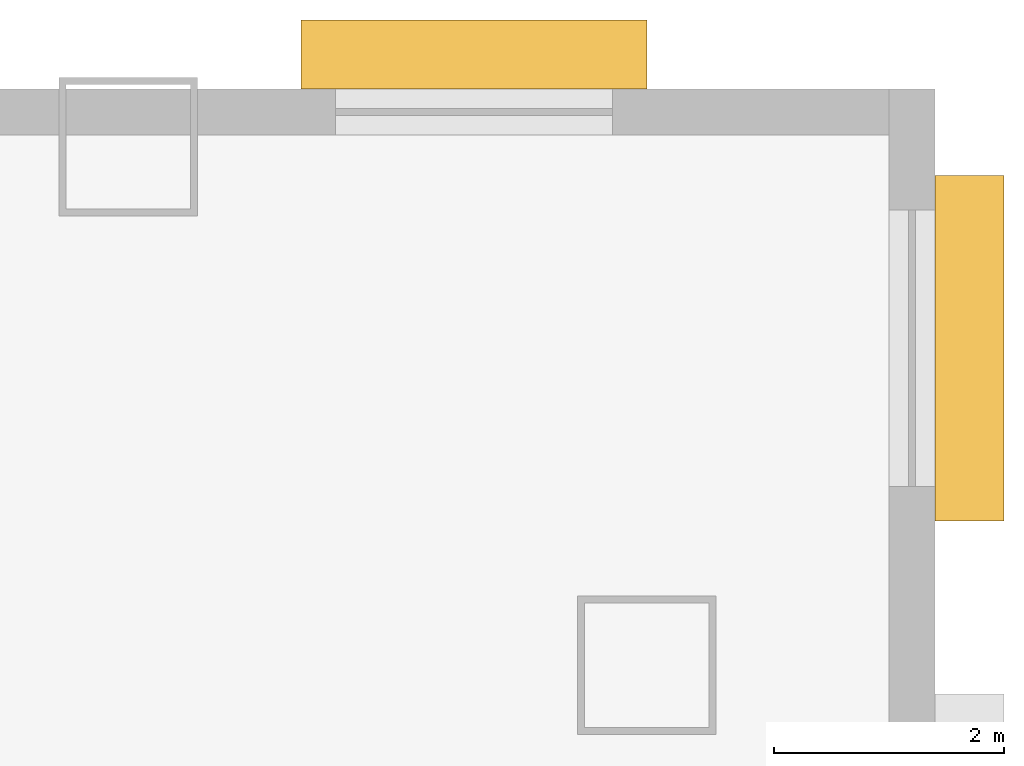
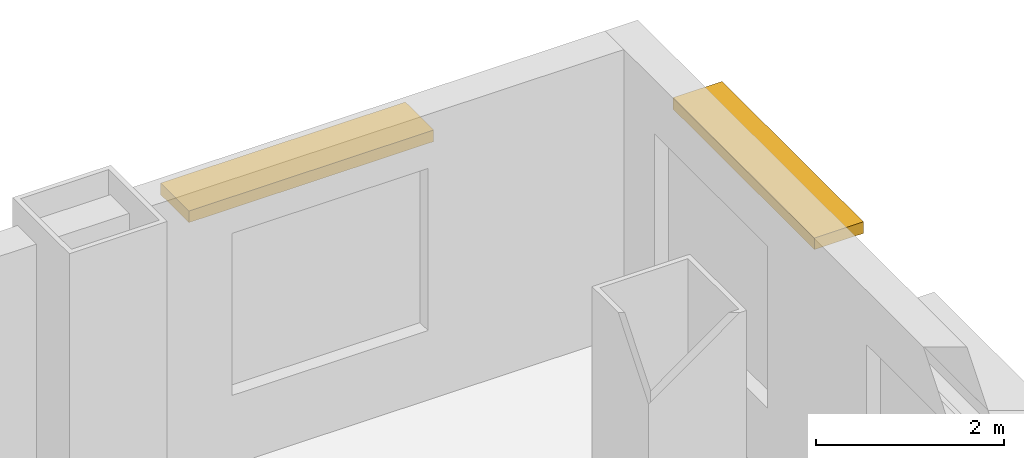
# One storey, part 25 of 25: 2 shading devices.
"""IFC4 building model written with IfcOpenShell, lengths in metres."""

import ifcopenshell
import ifcopenshell.guid

model = None  # the IFC model being written
_history = None  # IfcOwnerHistory: only IFC2X3 demands one
_inside = {}  # id of a spatial element -> (the spatial element, [elements in it])
_under = {}  # id of a project, library or spatial element -> (it, [spatial elements below it])
_declared = {}  # id of a project -> (the project, [libraries it declares])
_typed = {}  # id of a type object -> (the type object, [elements of that type])
_made_of = {}  # id of a material, layer set ... -> (it, [elements and type objects made of it])


def new_model(schema):
    """Start an empty IFC model of exactly this schema.

    Asked for "IFC4X3", IfcOpenShell would pick the latest addendum, in which some entities
    have other attributes; the version numbers below select the first issue.
    IFC2X3 requires an IfcOwnerHistory on every rooted entity: one is made here for all.
    """
    global model, _history
    if schema == "IFC4X3":
        model = ifcopenshell.file(schema_version=(4, 3, 0, 0))
    else:
        model = ifcopenshell.file(schema=schema)
    _inside.clear()
    _under.clear()
    _declared.clear()
    _typed.clear()
    _made_of.clear()
    _history = None
    if model.schema == "IFC2X3":
        org = make("IfcOrganization", Name="unknown")
        user = make(
            "IfcPersonAndOrganization",
            ThePerson=make("IfcPerson", FamilyName="unknown"),
            TheOrganization=org,
        )
        app = make(
            "IfcApplication",
            ApplicationDeveloper=org,
            Version="unknown",
            ApplicationFullName="unknown",
            ApplicationIdentifier="unknown",
        )
        _history = make(
            "IfcOwnerHistory",
            OwningUser=user,
            OwningApplication=app,
            ChangeAction="ADDED",
            CreationDate=0,
        )
    return model


def make(cls, **values):
    """One entity of the class cls with the attributes given. An attribute that is None is left unset."""
    return model.create_entity(
        cls, **{name: value for name, value in values.items() if value is not None}
    )


def rooted(cls, **values):
    """An entity with a GlobalId (a new one), such as an element, a storey or a relation."""
    return make(cls, GlobalId=ifcopenshell.guid.new(), OwnerHistory=_history, **values)


def si_unit(unit_type, name, prefix=None):
    """IfcSIUnit, for example si_unit("LENGTHUNIT", "METRE", prefix="MILLI")."""
    return make("IfcSIUnit", UnitType=unit_type, Prefix=prefix, Name=name)


def assignment(units):
    """IfcUnitAssignment: the units of a project."""
    return None if units is None else make("IfcUnitAssignment", Units=units)


def point(xyz):
    """IfcCartesianPoint."""
    return None if xyz is None else make("IfcCartesianPoint", Coordinates=xyz)


def direction(xyz):
    """IfcDirection."""
    return None if xyz is None else make("IfcDirection", DirectionRatios=xyz)


def frame(location, z_axis=None, x_axis=None):
    """IfcAxis2Placement3D, a coordinate frame: its origin and axes. An axis left out is left unset."""
    return make(
        "IfcAxis2Placement3D",
        Location=point(location),
        Axis=direction(z_axis),
        RefDirection=direction(x_axis),
    )


def frame_2d(location, x_axis=None):
    """IfcAxis2Placement2D, a coordinate frame in the plane: its origin and x axis."""
    return make(
        "IfcAxis2Placement2D", Location=point(location), RefDirection=direction(x_axis)
    )


def origin():
    """The frame at (0, 0, 0) with its axes left unset."""
    return frame((0.0, 0.0, 0.0))


def origin_2d():
    """The frame at (0, 0) in the plane with its x axis left unset."""
    return frame_2d((0.0, 0.0))


def place(relative_to, where):
    """IfcLocalPlacement: puts the frame where relative to a parent placement (None: the world)."""
    return make(
        "IfcLocalPlacement", PlacementRelTo=relative_to, RelativePlacement=where
    )


def context(
    kind, dimensions, precision=None, world=None, true_north=None, identifier=None
):
    """IfcGeometricRepresentationContext, for example the 3D "Model" context."""
    return make(
        "IfcGeometricRepresentationContext",
        ContextIdentifier=identifier,
        ContextType=kind,
        CoordinateSpaceDimension=dimensions,
        Precision=precision,
        WorldCoordinateSystem=world,
        TrueNorth=true_north,
    )


def subcontext(parent, identifier, kind, view, scale=None):
    """IfcGeometricRepresentationSubContext, for example "Body" below "Model"."""
    return make(
        "IfcGeometricRepresentationSubContext",
        ContextIdentifier=identifier,
        ContextType=kind,
        ParentContext=parent,
        TargetScale=scale,
        TargetView=view,
    )


def project(units=None, contexts=None):
    """IfcProject with its units and contexts."""
    return rooted(
        "IfcProject",
        Name="project",
        RepresentationContexts=contexts,
        UnitsInContext=assignment(units),
    )


def spatial(cls, under=None, at=None, **own):
    """A site, building, storey or space (cls), placed at a placement, below another one or the project."""
    s = rooted(cls, ObjectPlacement=at, **own)
    if under is not None:
        _under.setdefault(under.id(), (under, []))[1].append(s)
    return s


def profile(cls, at=None, kind="AREA", **sizes):
    """A parametric profile (cls). Its sizes go by their IFC names, for example OverallWidth=200.0."""
    return make(cls, ProfileType=kind, Position=at, **sizes)


def rectangle(**sizes):
    """IfcRectangleProfileDef."""
    return profile("IfcRectangleProfileDef", **sizes)


def extrude(swept, where, along, depth):
    """IfcExtrudedAreaSolid: the profile swept, set in the frame where, extruded along a direction by depth."""
    return make(
        "IfcExtrudedAreaSolid",
        SweptArea=swept,
        Position=where,
        ExtrudedDirection=direction(along),
        Depth=depth,
    )


def shape(context_of_items, identifier, shape_type, items):
    """IfcShapeRepresentation: the items that make up one representation, for example the "Body"."""
    return make(
        "IfcShapeRepresentation",
        ContextOfItems=context_of_items,
        RepresentationIdentifier=identifier,
        RepresentationType=shape_type,
        Items=items,
    )


def material(Name=None, Category=None):
    """IfcMaterial."""
    return make("IfcMaterial", Name=Name, Category=Category)


def layer(
    of_material, thickness, ventilated=None, Name=None, Category=None, Priority=None
):
    """IfcMaterialLayer: one layer of a wall or slab, of a material (None: an air gap)."""
    return make(
        "IfcMaterialLayer",
        Material=of_material,
        LayerThickness=thickness,
        IsVentilated=ventilated,
        Name=Name,
        Category=Category,
        Priority=Priority,
    )


def layer_set(layers, Name=None):
    """IfcMaterialLayerSet."""
    return make("IfcMaterialLayerSet", MaterialLayers=layers, LayerSetName=Name)


def made_of(thing, what):
    """Note that an element or type object is made of a material, layer set ...; save() writes the relation."""
    if what is not None:
        _made_of.setdefault(what.id(), (what, []))[1].append(thing)
    return thing


def type_object(cls, material=None, **own):
    """A type object (cls), such as IfcWallType, which elements share."""
    return made_of(rooted(cls, **own), material)


def element(
    cls,
    number,
    at=None,
    inside=None,
    cuts=None,
    type_object=None,
    material=None,
    context=None,
    identifier="Body",
    shape_type=None,
    held_by="IfcProductDefinitionShape",
    body=None,
    shapes=None,
    **own,
):
    """One element of the class cls, such as IfcWall. Its Tag is "e" and its number.

    at: its placement. inside: the storey or other place that contains it. cuts: it is an
    opening in that element (IfcRelVoidsElement). A single representation is given by context,
    identifier, shape_type and body (its items); several are given by shapes. held_by: the class
    of the entity that holds the representations. save() writes the other relations.
    """
    e = rooted(cls, Tag="e%d" % number, ObjectPlacement=at, **own)
    if body is not None:
        shapes = [shape(context, identifier, shape_type, body)]
    if shapes is not None:
        e.Representation = make(held_by, Representations=shapes)
    if inside is not None:
        _inside.setdefault(inside.id(), (inside, []))[1].append(e)
    if cuts is not None:
        rooted(
            "IfcRelVoidsElement", RelatingBuildingElement=cuts, RelatedOpeningElement=e
        )
    if type_object is not None:
        _typed.setdefault(type_object.id(), (type_object, []))[1].append(e)
    return made_of(e, material)


def aggregate(whole, parts):
    """IfcRelAggregates: a whole, such as a stair, and the parts it consists of."""
    return rooted("IfcRelAggregates", RelatingObject=whole, RelatedObjects=parts)


def save(model, path):
    """Write the relations noted so far, then the file.

    IfcRelAggregates (storeys below a building ...), IfcRelContainedInSpatialStructure (elements
    in a storey), IfcRelDefinesByType, IfcRelAssociatesMaterial and IfcRelDeclares: one each for
    every whole, place, type object, material and project.
    """
    for whole, parts in _under.values():
        aggregate(whole, parts)
    for where, things in _inside.values():
        rooted(
            "IfcRelContainedInSpatialStructure",
            RelatedElements=things,
            RelatingStructure=where,
        )
    for kind, things in _typed.values():
        rooted("IfcRelDefinesByType", RelatedObjects=things, RelatingType=kind)
    for what, things in _made_of.values():
        rooted("IfcRelAssociatesMaterial", RelatedObjects=things, RelatingMaterial=what)
    for by, libraries in _declared.values():
        rooted("IfcRelDeclares", RelatingContext=by, RelatedDefinitions=libraries)
    model.write(path)


model = new_model("IFC4")

# Units and contexts
model_context = context("Model", 3, precision=1e-05, world=origin(), true_north=direction((0.0, 1.0)))
body_context = subcontext(model_context, "Body", "Model", "MODEL_VIEW")
ifc_project = project(units=[si_unit("LENGTHUNIT", "METRE"), si_unit("AREAUNIT", "SQUARE_METRE"), si_unit("VOLUMEUNIT", "CUBIC_METRE"), si_unit("PLANEANGLEUNIT", "RADIAN"), si_unit("MASSUNIT", "GRAM", prefix="KILO")], contexts=[model_context])

# Site, building, storey
site_placement = place(None, origin())
site = spatial("IfcSite", under=ifc_project, at=site_placement, CompositionType="ELEMENT")
building_placement = place(site_placement, origin())
building = spatial("IfcBuilding", under=site, at=building_placement, Name="Vidyagriha Tower", CompositionType="ELEMENT")
storey_placement = place(building_placement, frame((0.0, 0.0, 18.0)))
storey = spatial("IfcBuildingStorey", under=building, at=storey_placement, Name="L04", CompositionType="ELEMENT", Elevation=18.0)

# Shading devices
ifc_material = material(Name="Precast concrete C40/50 with brick facing", Category="concrete")
ifc_layer = layer(ifc_material, 0.14990234375)
ifc_layer_set = layer_set([ifc_layer], Name="Precast concrete C40/50 with brick facing")
shading_device_type = type_object("IfcShadingDeviceType", Name="Brick chhajja window hood", PredefinedType="AWNING", material=ifc_layer_set)
for number, where, z_axis, x_axis, name in (
    (1, (40.300048828125, 17.75, 3.0), (0.0, 0.0, 1.0), (0.0, 1.0, 0.0), "Window hood L04 R01.19"),
    (2, (36.0, 20.300048828125, 3.0), (0.0, 0.0, 1.0), (-1.0, 0.0, 0.0), "Window hood L04 R02.2"),
):
    element("IfcShadingDevice", number, at=place(storey_placement, frame(where, z_axis=z_axis, x_axis=x_axis)), inside=storey, type_object=shading_device_type, Name=name, PredefinedType="AWNING", context=body_context, shape_type="SweptSolid", body=[
        extrude(rectangle(XDim=3.0, YDim=0.60009765625, at=origin_2d()), origin(), (0.0, 0.0, 1.0), 0.14990234375),
    ])

save(model, "model.ifc")
